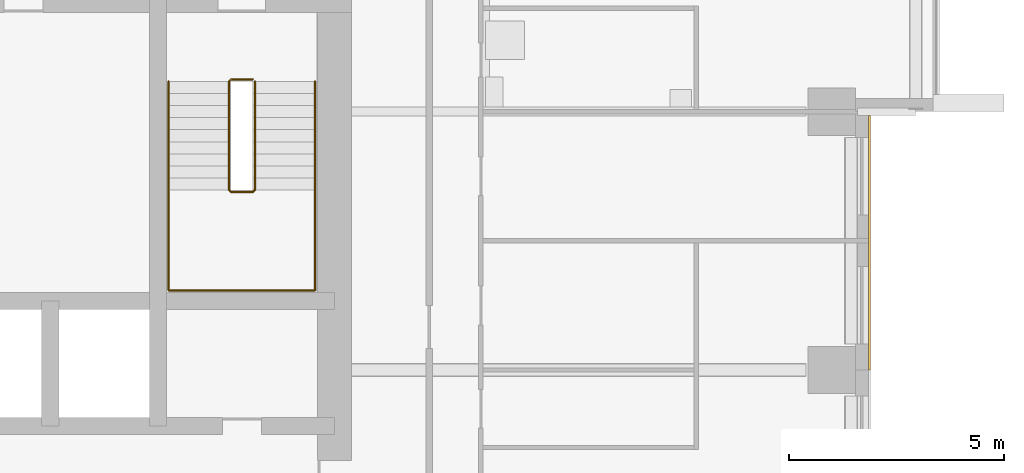
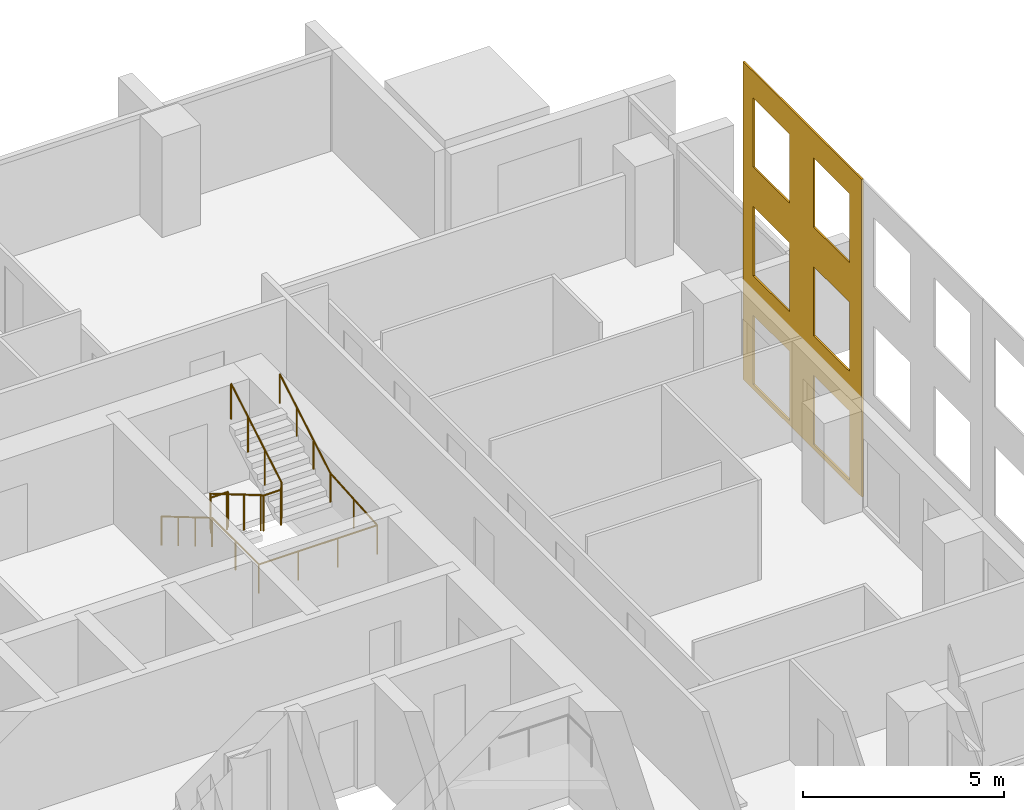
# One storey, part 12 of 13: 2 railings, 1 covering.
"""IFC4 building model written with IfcOpenShell, lengths in metres."""

from ifc_helpers import new_model, si_unit, direction, frame, origin, origin_2d, place, context, subcontext, project, spatial, polyline, circle, outline, extrude, material, layer, layer_set, type_object, element, save


model = new_model("IFC4")

# Units and contexts
model_context = context("Model", 3, precision=1e-05, world=origin(), true_north=direction((0.0, 1.0)))
body_context = subcontext(model_context, "Body", "Model", "MODEL_VIEW")
ifc_project = project(units=[si_unit("LENGTHUNIT", "METRE"), si_unit("AREAUNIT", "SQUARE_METRE"), si_unit("VOLUMEUNIT", "CUBIC_METRE"), si_unit("PLANEANGLEUNIT", "RADIAN"), si_unit("MASSUNIT", "GRAM", prefix="KILO")], contexts=[model_context])

# Site, building, storey
site_placement = place(None, origin())
site = spatial("IfcSite", under=ifc_project, at=site_placement, CompositionType="ELEMENT")
building_placement = place(site_placement, origin())
building = spatial("IfcBuilding", under=site, at=building_placement, Name="Amberfall Residences", CompositionType="ELEMENT")
storey_placement = place(building_placement, frame((0.0, 0.0, 78.699951171875)))
storey = spatial("IfcBuildingStorey", under=building, at=storey_placement, Name="L20", CompositionType="ELEMENT", Elevation=78.699951171875)

# Covering
ifc_material_1 = material(Name="Pale limestone cladding", Category="masonry")
ifc_layer = layer(ifc_material_1, 0.050048828125)
ifc_layer_set = layer_set([ifc_layer], Name="Limestone fascia 50")
covering_type = type_object("IfcCoveringType", Name="Limestone fascia 50", PredefinedType="CLADDING", material=ifc_layer_set)
covering_placement = place(storey_placement, frame((98.5, 48.39990234375, 9.650146484375), z_axis=(-1.0, 0.0, 0.0), x_axis=(0.0, 1.0, 0.0)))
element("IfcCovering", 1, at=covering_placement, inside=storey, type_object=covering_type, Name="Pale limestone cladding L20-L22 E", PredefinedType="CLADDING", context=body_context, shape_type="SweptSolid", body=[
    extrude(outline(polyline([(0.0, 0.0), (5.91015625, 0.0), (5.91015625, 9.650146484375), (0.0, 9.650146484375), (0.0, 0.0)]), holes=[polyline([(0.60009765625, 7.400146484375), (2.400146484375, 7.400146484375), (2.400146484375, 9.5), (0.60009765625, 9.5), (0.60009765625, 7.400146484375)]), polyline([(3.60009765625, 7.400146484375), (5.400146484375, 7.400146484375), (5.400146484375, 9.5), (3.60009765625, 9.5), (3.60009765625, 7.400146484375)]), polyline([(0.60009765625, 4.10009765625), (2.400146484375, 4.10009765625), (2.400146484375, 6.2001953125), (0.60009765625, 6.2001953125), (0.60009765625, 4.10009765625)]), polyline([(3.60009765625, 4.10009765625), (5.400146484375, 4.10009765625), (5.400146484375, 6.2001953125), (3.60009765625, 6.2001953125), (3.60009765625, 4.10009765625)]), polyline([(0.60009765625, 0.800048828125), (2.400146484375, 0.800048828125), (2.400146484375, 2.900146484375), (0.60009765625, 2.900146484375), (0.60009765625, 0.800048828125)]), polyline([(3.60009765625, 0.800048828125), (5.400146484375, 0.800048828125), (5.400146484375, 2.900146484375), (3.60009765625, 2.900146484375), (3.60009765625, 0.800048828125)])]), origin(), (0.0, 0.0, -1.0), 0.050048828125),
])

# Railings
ifc_material_2 = material(Name="Stainless steel 316", Category="steel")
railing_type_1 = type_object("IfcRailingType", Name="Stair guard 1100", PredefinedType="GUARDRAIL", material=ifc_material_2)
railing_1_placement = place(storey_placement, frame((84.199951171875, 55.14990234375, 0.0)))
element("IfcRailing", 2, at=railing_1_placement, inside=storey, type_object=railing_type_1, Name="L20 stair 3 guard", PredefinedType="GUARDRAIL", context=body_context, shape_type="SweptSolid", body=[
    extrude(circle(Radius=0.02392578125, at=origin_2d()), frame((0.0, 0.0, 1.076171875), z_axis=(-1.0, 0.0, 0.0), x_axis=(0.0, -1.0, 0.0)), (0.0, 0.0, 1.0), 0.5),
    extrude(circle(Radius=0.02392578125, at=origin_2d()), frame((-0.5, 0.0, 1.076171875), z_axis=(-0.278810427259, -0.277450376394, 0.919394384522), x_axis=(0.705375805398, -0.708833529934, 0.0)), (0.0, 0.0, 1.0), 0.179443359375),
    extrude(circle(Radius=0.02392578125, at=origin_2d()), frame((-0.550048828125, -0.0498046875, 1.2412109375), z_axis=(0.0, -0.86152411907, 0.507716645641), x_axis=(1.0, 0.0, 0.0)), (0.0, 0.0, 1.0), 2.925048828125),
    extrude(circle(Radius=0.02392578125, at=origin_2d()), frame((-0.550048828125, -2.56982421875, 2.72607421875), z_axis=(0.707106781187, -0.707106781187, 0.0), x_axis=(0.707106781187, 0.707106781187, 0.0)), (0.0, 0.0, 1.0), 0.07080078125),
    extrude(circle(Radius=0.02392578125, at=origin_2d()), frame((-0.5, -2.619873046875, 2.72607421875), z_axis=(1.0, 0.0, 0.0), x_axis=(0.0, 1.0, 0.0)), (0.0, 0.0, 1.0), 0.5),
    extrude(circle(Radius=0.02392578125, at=origin_2d()), frame((0.0, -2.619873046875, 2.72607421875), z_axis=(0.279053652268, 0.279053652268, 0.918835196492), x_axis=(-0.707106781187, 0.707106781187, 0.0)), (0.0, 0.0, 1.0), 0.179443359375),
    extrude(circle(Radius=0.02392578125, at=origin_2d()), frame((0.050048828125, -2.56982421875, 2.89111328125), z_axis=(0.0, 0.86152411907, 0.507716645641), x_axis=(-1.0, 0.0, 0.0)), (0.0, 0.0, 1.0), 2.925048828125),
    extrude(circle(Radius=0.02099609375, at=origin_2d()), origin(), (0.0, 0.0, 1.0), 1.052001953125),
    extrude(circle(Radius=0.02099609375, at=origin_2d()), frame((-0.5, 0.0, 0.0)), (0.0, 0.0, 1.0), 1.052001953125),
    extrude(circle(Radius=0.02099609375, at=origin_2d()), frame((-0.550048828125, -0.0498046875, 0.1650390625)), (0.0, 0.0, 1.0), 1.052001953125),
    extrude(circle(Radius=0.02099609375, at=origin_2d()), frame((-0.550048828125, -0.889892578125, 0.66015625)), (0.0, 0.0, 1.0), 1.052001953125),
    extrude(circle(Radius=0.02099609375, at=origin_2d()), frame((-0.550048828125, -1.729736328125, 1.155029296875)), (0.0, 0.0, 1.0), 1.052001953125),
    extrude(circle(Radius=0.02099609375, at=origin_2d()), frame((-0.550048828125, -2.56982421875, 1.650146484375)), (0.0, 0.0, 1.0), 1.052001953125),
    extrude(circle(Radius=0.02099609375, at=origin_2d()), frame((-0.5, -2.619873046875, 1.650146484375)), (0.0, 0.0, 1.0), 1.052001953125),
    extrude(circle(Radius=0.02099609375, at=origin_2d()), frame((0.0, -2.619873046875, 1.650146484375)), (0.0, 0.0, 1.0), 1.052001953125),
    extrude(circle(Radius=0.02099609375, at=origin_2d()), frame((0.050048828125, -2.56982421875, 1.81494140625)), (0.0, 0.0, 1.0), 1.052001953125),
    extrude(circle(Radius=0.02099609375, at=origin_2d()), frame((0.050048828125, -1.729736328125, 2.31005859375)), (0.0, 0.0, 1.0), 1.052001953125),
    extrude(circle(Radius=0.02099609375, at=origin_2d()), frame((0.050048828125, -0.889892578125, 2.804931640625)), (0.0, 0.0, 1.0), 1.052001953125),
    extrude(circle(Radius=0.02099609375, at=origin_2d()), frame((0.050048828125, -0.0498046875, 3.300048828125)), (0.0, 0.0, 1.0), 1.052001953125),
])
railing_type_2 = type_object("IfcRailingType", Name="Stair handrail 900", PredefinedType="HANDRAIL", material=ifc_material_2)
railing_2_placement = place(storey_placement, frame((82.25, 55.10009765625, 0.1650390625)))
element("IfcRailing", 3, at=railing_2_placement, inside=storey, type_object=railing_type_2, Name="L20 stair 3 handrail", PredefinedType="HANDRAIL", context=body_context, shape_type="SweptSolid", body=[
    extrude(circle(Radius=0.02392578125, at=origin_2d()), frame((0.0, 0.0, 0.8759765625), z_axis=(0.0, -0.86152411907, 0.507716645641), x_axis=(1.0, 0.0, 0.0)), (0.0, 0.0, 1.0), 2.925048828125),
    extrude(circle(Radius=0.02392578125, at=origin_2d()), frame((0.0, -2.52001953125, 2.36083984375), z_axis=(0.0, -1.0, 0.0), x_axis=(1.0, 0.0, 0.0)), (0.0, 0.0, 1.0), 2.330078125),
    extrude(circle(Radius=0.02392578125, at=origin_2d()), frame((0.0, -4.85009765625, 2.36083984375), z_axis=(1.0, 0.0, 0.0), x_axis=(0.0, 1.0, 0.0)), (0.0, 0.0, 1.0), 3.39990234375),
    extrude(circle(Radius=0.02392578125, at=origin_2d()), frame((3.39990234375, -4.85009765625, 2.36083984375), z_axis=(0.0, 0.997508326432, 0.070548839097), x_axis=(-1.0, 0.0, 0.0)), (0.0, 0.0, 1.0), 2.3359375),
    extrude(circle(Radius=0.02392578125, at=origin_2d()), frame((3.39990234375, -2.52001953125, 2.52587890625), z_axis=(0.0, 0.86152411907, 0.507716645641), x_axis=(-1.0, 0.0, 0.0)), (0.0, 0.0, 1.0), 2.925048828125),
    extrude(circle(Radius=0.02099609375, at=origin_2d()), origin(), (0.0, 0.0, 1.0), 0.851806640625),
    extrude(circle(Radius=0.02099609375, at=origin_2d()), frame((0.0, -0.840087890625, 0.4951171875)), (0.0, 0.0, 1.0), 0.851806640625),
    extrude(circle(Radius=0.02099609375, at=origin_2d()), frame((0.0, -1.679931640625, 0.989990234375)), (0.0, 0.0, 1.0), 0.851806640625),
    extrude(circle(Radius=0.02099609375, at=origin_2d()), frame((0.0, -2.52001953125, 1.485107421875)), (0.0, 0.0, 1.0), 0.851806640625),
    extrude(circle(Radius=0.02099609375, at=origin_2d()), frame((0.0, -3.68505859375, 1.485107421875)), (0.0, 0.0, 1.0), 0.851806640625),
    extrude(circle(Radius=0.02099609375, at=origin_2d()), frame((0.0, -4.85009765625, 1.485107421875)), (0.0, 0.0, 1.0), 0.851806640625),
    extrude(circle(Radius=0.02099609375, at=origin_2d()), frame((1.13330078125, -4.85009765625, 1.485107421875)), (0.0, 0.0, 1.0), 0.851806640625),
    extrude(circle(Radius=0.02099609375, at=origin_2d()), frame((2.2666015625, -4.85009765625, 1.485107421875)), (0.0, 0.0, 1.0), 0.851806640625),
    extrude(circle(Radius=0.02099609375, at=origin_2d()), frame((3.39990234375, -4.85009765625, 1.485107421875)), (0.0, 0.0, 1.0), 0.851806640625),
    extrude(circle(Radius=0.02099609375, at=origin_2d()), frame((3.39990234375, -3.68505859375, 1.5673828125)), (0.0, 0.0, 1.0), 0.851806640625),
    extrude(circle(Radius=0.02099609375, at=origin_2d()), frame((3.39990234375, -2.52001953125, 1.64990234375)), (0.0, 0.0, 1.0), 0.851806640625),
    extrude(circle(Radius=0.02099609375, at=origin_2d()), frame((3.39990234375, -1.679931640625, 2.14501953125)), (0.0, 0.0, 1.0), 0.851806640625),
    extrude(circle(Radius=0.02099609375, at=origin_2d()), frame((3.39990234375, -0.840087890625, 2.639892578125)), (0.0, 0.0, 1.0), 0.851806640625),
    extrude(circle(Radius=0.02099609375, at=origin_2d()), frame((3.39990234375, 0.0, 3.135009765625)), (0.0, 0.0, 1.0), 0.851806640625),
])

save(model, "model.ifc")
